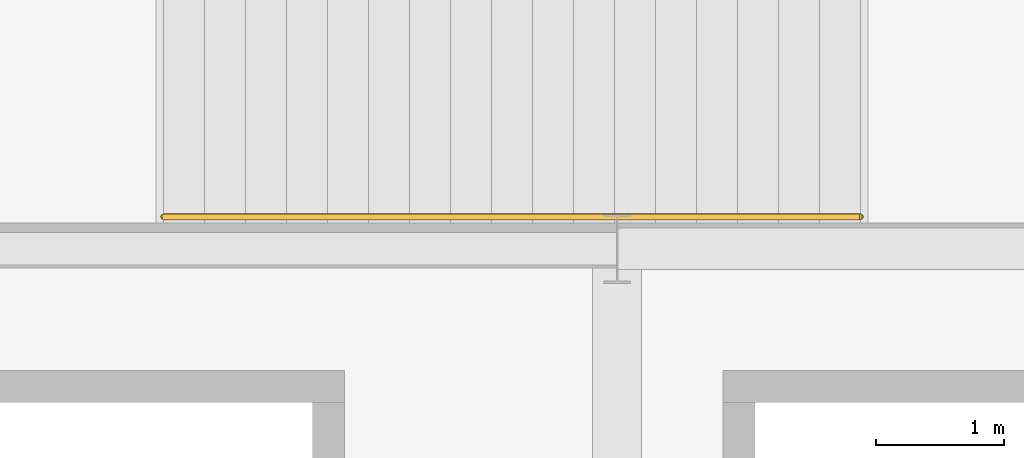
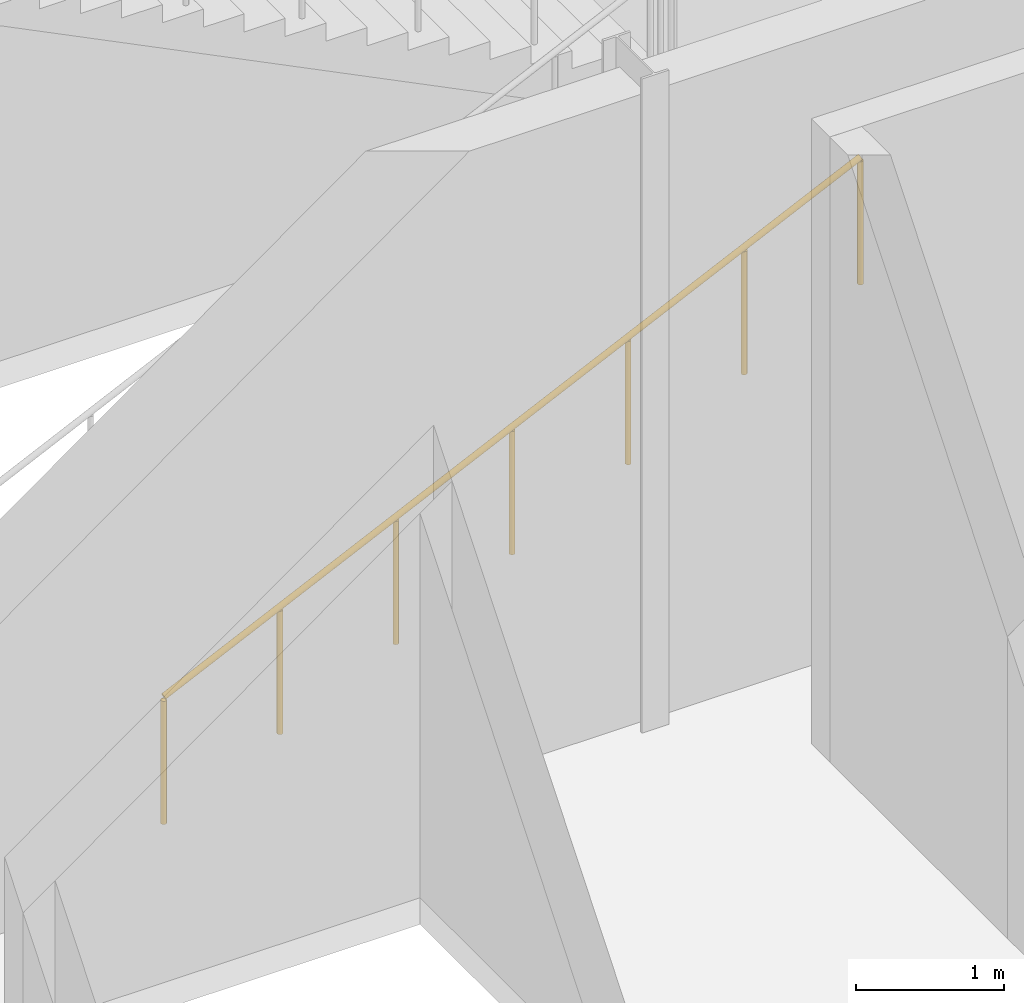
# One storey, part 112 of 119: 1 railing.
"""IFC4 building model written with IfcOpenShell, lengths in metres."""

from ifc_helpers import new_model, si_unit, direction, frame, origin, origin_2d, place, context, subcontext, project, spatial, circle, extrude, material, type_object, element, save


model = new_model("IFC4")

# Units and contexts
model_context = context("Model", 3, precision=1e-05, world=origin(), true_north=direction((0.0, 1.0)))
body_context = subcontext(model_context, "Body", "Model", "MODEL_VIEW")
ifc_project = project(units=[si_unit("LENGTHUNIT", "METRE"), si_unit("AREAUNIT", "SQUARE_METRE"), si_unit("VOLUMEUNIT", "CUBIC_METRE"), si_unit("PLANEANGLEUNIT", "RADIAN"), si_unit("MASSUNIT", "GRAM", prefix="KILO")], contexts=[model_context])

# Site, building, storey
site_placement = place(None, origin())
site = spatial("IfcSite", under=ifc_project, at=site_placement, CompositionType="ELEMENT")
building_placement = place(site_placement, origin())
building = spatial("IfcBuilding", under=site, at=building_placement, Name="Qamarlyn Nura Convention Centre", CompositionType="ELEMENT")
storey_placement = place(building_placement, frame((0.0, 0.0, 5.39990234375)))
storey = spatial("IfcBuildingStorey", under=building, at=storey_placement, Name="L01", CompositionType="ELEMENT", Elevation=5.39990234375)

# Railing
ifc_material = material(Name="Marine Grade 316 stainless steel", Category="steel")
railing_type = type_object("IfcRailingType", Name="HRL-STAIR-090", PredefinedType="HANDRAIL", material=ifc_material)
railing_placement = place(storey_placement, frame((182.4599609375, 63.25, 0.302490234375)))
element("IfcRailing", 1, at=railing_placement, inside=storey, type_object=railing_type, Name="L01 ST-13 stair handrail 1", PredefinedType="HANDRAIL", context=body_context, shape_type="SweptSolid", body=[
    extrude(circle(Radius=0.02392578125, at=origin_2d()), frame((0.0, 0.0, 0.88818359375), z_axis=(0.90546967238, 0.0, 0.424410971113), x_axis=(0.0, 1.0, 0.0)), (0.0, 0.0, 1.0), 6.0078125),
    extrude(circle(Radius=0.02099609375, at=origin_2d()), frame((0.0, 0.0, -0.155029296875)), (0.0, 0.0, 1.0), 1.01708984375),
    extrude(circle(Radius=0.02099609375, at=origin_2d()), frame((0.90673828125, 0.0, 0.27001953125)), (0.0, 0.0, 1.0), 1.01708984375),
    extrude(circle(Radius=0.02099609375, at=origin_2d()), frame((1.813232421875, 0.0, 0.69482421875)), (0.0, 0.0, 1.0), 1.01708984375),
    extrude(circle(Radius=0.02099609375, at=origin_2d()), frame((2.719970703125, 0.0, 1.119873046875)), (0.0, 0.0, 1.0), 1.01708984375),
    extrude(circle(Radius=0.02099609375, at=origin_2d()), frame((3.626708984375, 0.0, 1.544921875)), (0.0, 0.0, 1.0), 1.01708984375),
    extrude(circle(Radius=0.02099609375, at=origin_2d()), frame((4.533203125, 0.0, 1.9697265625)), (0.0, 0.0, 1.0), 1.01708984375),
    extrude(circle(Radius=0.02099609375, at=origin_2d()), frame((5.43994140625, 0.0, 2.394775390625)), (0.0, 0.0, 1.0), 1.01708984375),
])

save(model, "model.ifc")
